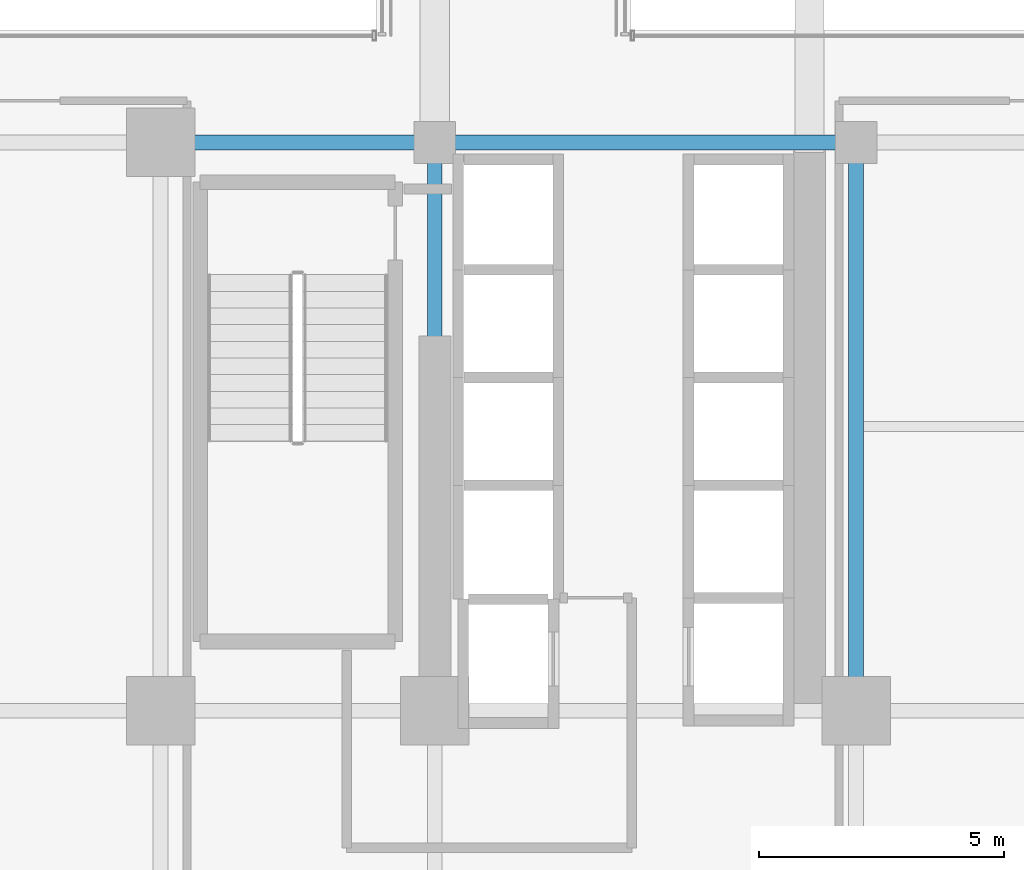
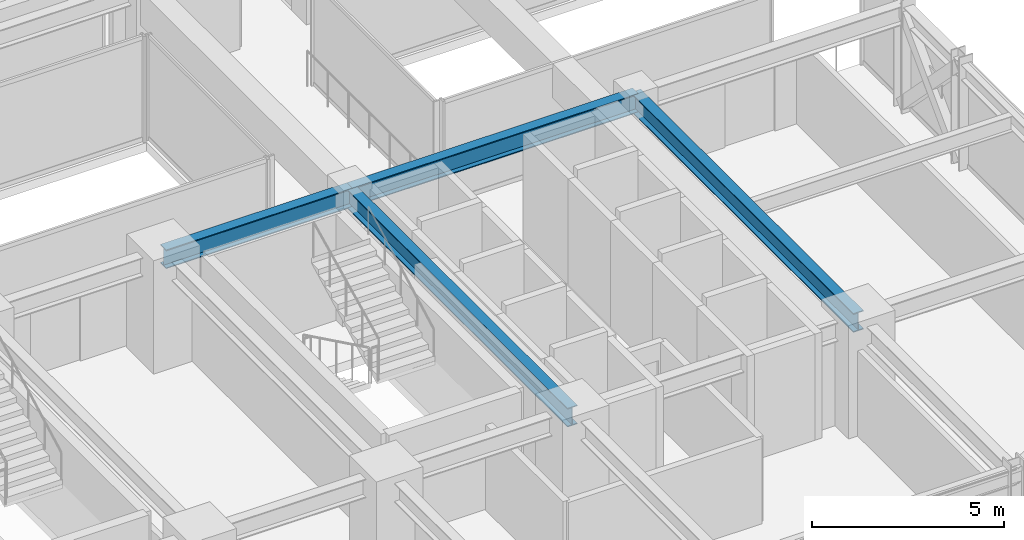
# One storey, part 16 of 38: 4 beams.
"""IFC4 building model written with IfcOpenShell, lengths in metres."""

from ifc_helpers import new_model, si_unit, direction, frame, origin, origin_2d, place, context, subcontext, project, spatial, i_section, extrude, source, transform, mapped, material, material_profile, profile_set, type_object, element, save


model = new_model("IFC4")

# Units and contexts
model_context = context("Model", 3, precision=1e-05, world=origin(), true_north=direction((0.0, 1.0)))
body_context = subcontext(model_context, "Body", "Model", "MODEL_VIEW")
ifc_project = project(units=[si_unit("LENGTHUNIT", "METRE"), si_unit("AREAUNIT", "SQUARE_METRE"), si_unit("VOLUMEUNIT", "CUBIC_METRE"), si_unit("PLANEANGLEUNIT", "RADIAN"), si_unit("MASSUNIT", "GRAM", prefix="KILO")], contexts=[model_context])

# Site, building, storey
site_placement = place(None, origin())
site = spatial("IfcSite", under=ifc_project, at=site_placement, CompositionType="ELEMENT")
building_placement = place(site_placement, origin())
building = spatial("IfcBuilding", under=site, at=building_placement, Name="Nahalor Promenade Grand Hotel", CompositionType="ELEMENT")
storey_placement = place(building_placement, frame((0.0, 0.0, 50.64990234375)))
storey = spatial("IfcBuildingStorey", under=building, at=storey_placement, Name="L11", CompositionType="ELEMENT", Elevation=50.64990234375)

# Beams
ifc_material = material(Name="Steel S355JR", Category="steel")
ifc_material_profile = material_profile(ifc_material, i_section(OverallWidth=0.3, OverallDepth=0.6, WebThickness=0.0155, FlangeThickness=0.03, at=origin_2d()), Name="HEB 600")
ifc_profile_set = profile_set([ifc_material_profile], Name="Steel S355JR")
beam_type = type_object("IfcBeamType", Name="Beam-Girder-HEB600", PredefinedType="BEAM", material=ifc_profile_set)
shared_shape_1 = source(origin(), body_context, "Body", "SweptSolid", [
    extrude(i_section(OverallWidth=0.3, OverallDepth=0.6, WebThickness=0.0155, FlangeThickness=0.03, at=origin_2d()), origin(), (0.0, 0.0, 1.0), 8.60009765625),
])
beam_1_placement = place(storey_placement, frame((8.39990234375, -5.39990234375, 3.070068359375), z_axis=(1.0, 0.0, 0.0), x_axis=(0.0, 1.0, 0.0)))
element("IfcBeam", 1, at=beam_1_placement, inside=storey, type_object=beam_type, Name="BM-L11-GX-1-5", PredefinedType="BEAM", context=body_context, shape_type="MappedRepresentation", body=[
    mapped(shared_shape_1, transform((0.0, 0.0, 0.0), scale=1.0)),
])
shared_shape_2 = source(origin(), body_context, "Body", "SweptSolid", [
    extrude(i_section(OverallWidth=0.3, OverallDepth=0.6, WebThickness=0.0155, FlangeThickness=0.03, at=origin_2d()), origin(), (0.0, 0.0, 1.0), 5.599853515625),
])
beam_2_placement = place(storey_placement, frame((2.800048828125, -5.39990234375, 3.070068359375), z_axis=(1.0, 0.0, 0.0), x_axis=(0.0, 1.0, 0.0)))
element("IfcBeam", 2, at=beam_2_placement, inside=storey, type_object=beam_type, Name="BM-L11-GX-1-4", PredefinedType="BEAM", context=body_context, shape_type="MappedRepresentation", body=[
    mapped(shared_shape_2, transform((0.0, 0.0, 0.0), scale=1.0)),
])
shared_shape_3 = source(origin(), body_context, "Body", "SweptSolid", [
    extrude(i_section(OverallWidth=0.3, OverallDepth=0.6, WebThickness=0.0155, FlangeThickness=0.03, at=origin_2d()), origin(), (0.0, 0.0, 1.0), 11.60009765625),
])
for number, where, z_axis, x_axis, name in (
    (3, (8.39990234375, -17.0, 3.070068359375), (0.0, 1.0, 0.0), (-1.0, 0.0, 0.0), "BM-L11-GY-4-1"),
    (4, (17.0, -17.0, 3.070068359375), (0.0, 1.0, 0.0), (-1.0, 0.0, 0.0), "BM-L11-GY-5-1"),
):
    element("IfcBeam", number, at=place(storey_placement, frame(where, z_axis=z_axis, x_axis=x_axis)), inside=storey, type_object=beam_type, Name=name, PredefinedType="BEAM", context=body_context, shape_type="MappedRepresentation", body=[
        mapped(shared_shape_3, transform((0.0, 0.0, 0.0), scale=1.0)),
    ])

save(model, "model.ifc")
